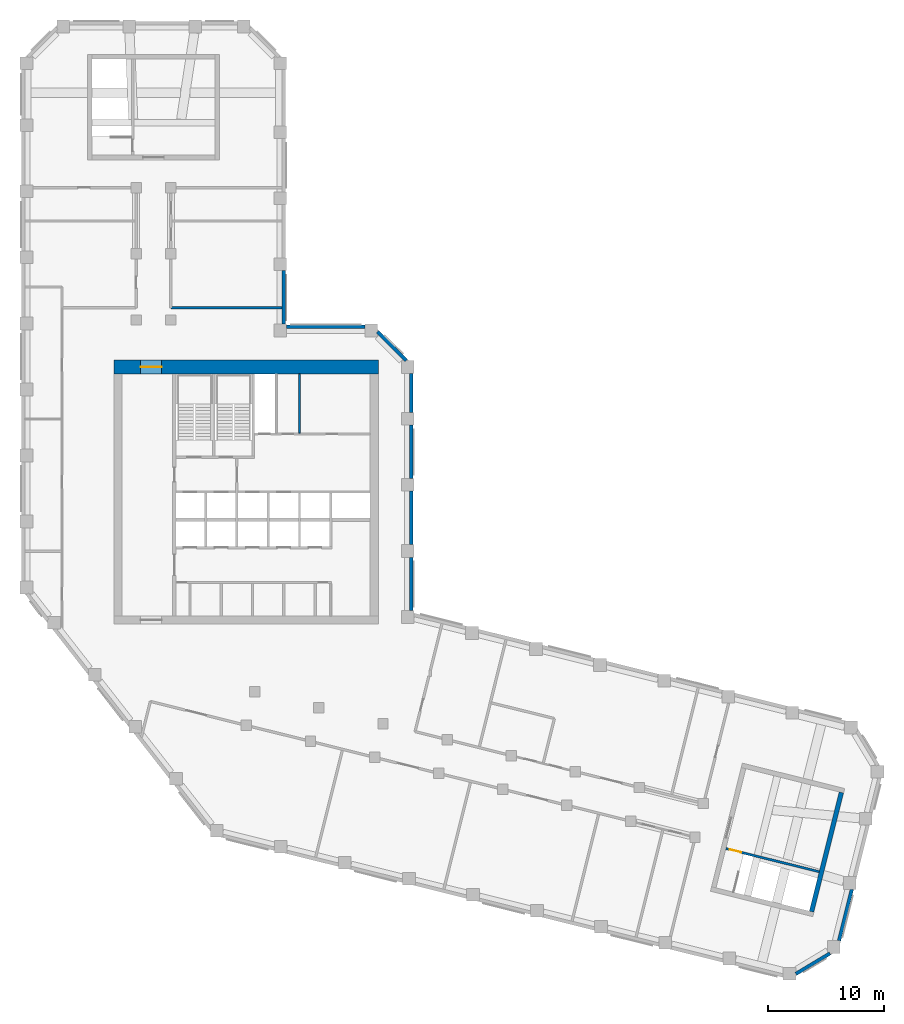
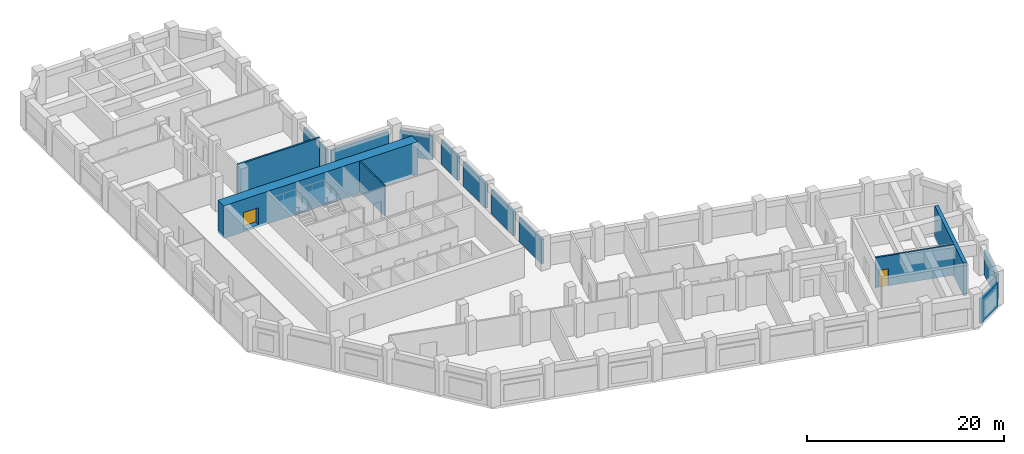
# One storey, part 5 of 8: 14 walls, 2 doors, 2 openings.
"""IFC4 building model written with IfcOpenShell, lengths in metres."""

from ifc_helpers import new_model, si_unit, direction, frame, frame_2d, origin, place, context, subcontext, project, spatial, rectangle, extrude, material, layer, layer_set, type_object, element, fill, save


model = new_model("IFC4")

# Units and contexts
model_context = context("Model", 3, precision=1e-05, world=origin(), true_north=direction((0.0, 1.0)))
body_context = subcontext(model_context, "Body", "Model", "MODEL_VIEW")
ifc_project = project(units=[si_unit("LENGTHUNIT", "METRE"), si_unit("AREAUNIT", "SQUARE_METRE"), si_unit("VOLUMEUNIT", "CUBIC_METRE"), si_unit("PLANEANGLEUNIT", "RADIAN"), si_unit("MASSUNIT", "GRAM", prefix="KILO")], contexts=[model_context])

# Site, building, storey
site_placement = place(None, origin())
site = spatial("IfcSite", under=ifc_project, at=site_placement, CompositionType="ELEMENT")
building_placement = place(site_placement, origin())
building = spatial("IfcBuilding", under=site, at=building_placement, Name="Meshkara Civic Tower", CompositionType="ELEMENT")
storey_placement = place(building_placement, frame((0.0, 0.0, 280.199951171875)))
storey = spatial("IfcBuildingStorey", under=building, at=storey_placement, Name="L64", CompositionType="ELEMENT", Elevation=280.199951171875)

# Wall
ifc_material_1 = material(Name="Blockwork", Category="masonry")
ifc_layer_1 = layer(ifc_material_1, 0.14990234375)
ifc_layer_set_1 = layer_set([ifc_layer_1], Name="Core partition 150")
wall_type_1 = type_object("IfcWallType", Name="Core partition 150", PredefinedType="PARTITIONING", material=ifc_layer_set_1)
wall_1_placement = place(storey_placement, frame((24.0, 30.574951171875, 0.0), z_axis=(0.0, 0.0, 1.0), x_axis=(0.0, 1.0, 0.0)))
element("IfcWall", 1, at=wall_1_placement, inside=storey, type_object=wall_type_1, Name="L64-C023", PredefinedType="PARTITIONING", context=body_context, shape_type="SweptSolid", body=[
    extrude(rectangle(XDim=5.125, YDim=0.14990234375, at=frame_2d((2.5625, 0.0))), origin(), (0.0, 0.0, 1.0), 3.75),
])

# Wall, opening, door
ifc_material_2 = material(Name="Concrete C60", Category="concrete")
ifc_layer_2 = layer(ifc_material_2, 1.199951171875)
ifc_layer_set_2 = layer_set([ifc_layer_2], Name="Core ring wall 1200 C60")
wall_type_2 = type_object("IfcWallType", Name="Core ring wall 1200 C60", PredefinedType="SHEAR", material=ifc_layer_set_2)
wall_2_placement = place(storey_placement, frame((8.0, 36.300048828125, -0.300048828125), z_axis=(0.0, 0.0, 1.0), x_axis=(1.0, 0.0, 0.0)))
wall_2 = element("IfcWall", 2, at=wall_2_placement, inside=storey, type_object=wall_type_2, Name="L64-C002", PredefinedType="SHEAR", context=body_context, shape_type="SweptSolid", body=[
    extrude(rectangle(XDim=22.800048828125, YDim=1.199951171875, at=frame_2d((11.39990234375, 0.0))), origin(), (0.0, 0.0, 1.0), 4.050048828125),
])
opening_1_placement = place(wall_2_placement, frame((2.300048828125, 0.0, 0.300048828125)))
opening_1 = element("IfcOpeningElement", 3, at=opening_1_placement, cuts=wall_2, Name="Opening L64-K020", PredefinedType="OPENING", context=body_context, shape_type="SweptSolid", body=[
    extrude(rectangle(XDim=1.800048828125, YDim=2.10009765625, at=frame_2d((0.89990234375, 1.050048828125))), frame((0.0, 0.60986328125, 0.0), z_axis=(0.0, -1.0, 0.0), x_axis=(1.0, 0.0, 0.0)), (0.0, 0.0, 1.0), 1.219970703125),
])
ifc_material_3 = material(Name="Fire-rated door leaf in steel frame", Category="steel")
door_type_1 = type_object("IfcDoorType", Name="Core double door 1800 EI 60", OperationType="DOUBLE_DOOR_SINGLE_SWING", PredefinedType="DOOR", material=ifc_material_3)
door_1_placement = place(opening_1_placement, origin())
door_1 = element("IfcDoor", 4, at=door_1_placement, inside=storey, type_object=door_type_1, Name="L64-K020", OperationType="DOUBLE_DOOR_SINGLE_SWING", OverallHeight=2.10009765625, OverallWidth=1.800048828125, PredefinedType="DOOR", context=body_context, shape_type="SweptSolid", body=[
    extrude(rectangle(XDim=1.800048828125, YDim=2.10009765625, at=frame_2d((0.89990234375, 1.050048828125))), frame((0.0, 0.02490234375, 0.0), z_axis=(0.0, -1.0, 0.0), x_axis=(1.0, 0.0, 0.0)), (0.0, 0.0, 1.0), 0.050048828125),
])
fill(opening_1, door_1)

# Walls
ifc_material_4 = material(Name="Insulated infill panel with bronze anodised aluminium cladding", Category="aluminium")
ifc_layer_3 = layer(ifc_material_4, 0.300048828125)
ifc_layer_set_3 = layer_set([ifc_layer_3], Name="EXTERNAL INFILL WALL 300")
wall_type_3 = type_object("IfcWallType", Name="EXTERNAL INFILL WALL 300", PredefinedType="SOLIDWALL", material=ifc_layer_set_3)
wall_3_placement = place(storey_placement, frame((33.64990234375, 15.26904296875, 0.0), z_axis=(0.0, 0.0, 1.0), x_axis=(0.0, 1.0, 0.0)))
element("IfcWall", 5, at=wall_3_placement, inside=storey, type_object=wall_type_3, Name="External wall", PredefinedType="SOLIDWALL", context=body_context, shape_type="SweptSolid", body=[
    extrude(rectangle(XDim=4.599853515625, YDim=0.300048828125, at=frame_2d((2.2998046875, 0.0))), origin(), (0.0, 0.0, 1.0), 3.0),
])
wall_4_placement = place(storey_placement, frame((33.64990234375, 20.969970703125, 0.0), z_axis=(0.0, 0.0, 1.0), x_axis=(0.0, 1.0, 0.0)))
element("IfcWall", 6, at=wall_4_placement, inside=storey, type_object=wall_type_3, Name="External wall", PredefinedType="SOLIDWALL", context=body_context, shape_type="SweptSolid", body=[
    extrude(rectangle(XDim=4.59912109375, YDim=0.300048828125, at=frame_2d((2.299560546875, 0.0))), origin(), (0.0, 0.0, 1.0), 3.0),
])
wall_5_placement = place(storey_placement, frame((33.64990234375, 26.6689453125, 0.0), z_axis=(0.0, 0.0, 1.0), x_axis=(0.0, 1.0, 0.0)))
element("IfcWall", 7, at=wall_5_placement, inside=storey, type_object=wall_type_3, Name="External wall", PredefinedType="SOLIDWALL", context=body_context, shape_type="SweptSolid", body=[
    extrude(rectangle(XDim=4.60009765625, YDim=0.300048828125, at=frame_2d((2.300048828125, 0.0))), origin(), (0.0, 0.0, 1.0), 3.0),
])
wall_6_placement = place(storey_placement, frame((33.64990234375, 32.368896484375, 0.0), z_axis=(0.0, 0.0, 1.0), x_axis=(0.0, 1.0, 0.0)))
element("IfcWall", 8, at=wall_6_placement, inside=storey, type_object=wall_type_3, Name="External wall", PredefinedType="SOLIDWALL", context=body_context, shape_type="SweptSolid", body=[
    extrude(rectangle(XDim=3.375, YDim=0.300048828125, at=frame_2d((1.6875, 0.0))), origin(), (0.0, 0.0, 1.0), 3.0),
])
wall_7_placement = place(storey_placement, frame((33.22412109375, 36.843994140625, 0.0), z_axis=(0.0, 0.0, 1.0), x_axis=(-0.70714158403, 0.70707197663, 0.0)))
element("IfcWall", 9, at=wall_7_placement, inside=storey, type_object=wall_type_3, Name="External wall", PredefinedType="SOLIDWALL", context=body_context, shape_type="SweptSolid", body=[
    extrude(rectangle(XDim=3.50732421875, YDim=0.300048828125, at=frame_2d((1.753662109375, 0.0))), origin(), (0.0, 0.0, 1.0), 3.0),
])
wall_8_placement = place(storey_placement, frame((29.64306640625, 39.75, 0.0), z_axis=(0.0, 0.0, 1.0), x_axis=(-1.0, 0.0, 0.0)))
element("IfcWall", 10, at=wall_8_placement, inside=storey, type_object=wall_type_3, Name="External wall", PredefinedType="SOLIDWALL", context=body_context, shape_type="SweptSolid", body=[
    extrude(rectangle(XDim=6.7421875, YDim=0.300048828125, at=frame_2d((3.37109375, 0.0))), origin(), (0.0, 0.0, 1.0), 3.0),
])
wall_9_placement = place(storey_placement, frame((22.64990234375, 40.0009765625, 0.0), z_axis=(0.0, 0.0, 1.0), x_axis=(0.0, 1.0, 0.0)))
element("IfcWall", 11, at=wall_9_placement, inside=storey, type_object=wall_type_3, Name="External wall", PredefinedType="SOLIDWALL", context=body_context, shape_type="SweptSolid", body=[
    extrude(rectangle(XDim=4.59814453125, YDim=0.300048828125, at=frame_2d((2.299072265625, 0.0))), origin(), (0.0, 0.0, 1.0), 3.0),
])
wall_10_placement = place(storey_placement, frame((66.845947265625, -16.0849609375, 0.0), z_axis=(0.0, 0.0, 1.0), x_axis=(0.857160340648, 0.515049658208, 0.0)))
element("IfcWall", 12, at=wall_10_placement, inside=storey, type_object=wall_type_3, Name="External wall", PredefinedType="SOLIDWALL", context=body_context, shape_type="SweptSolid", body=[
    extrude(rectangle(XDim=3.434814453125, YDim=0.300048828125, at=frame_2d((1.71728515625, 0.0))), origin(), (0.0, 0.0, 1.0), 3.0),
])
wall_11_placement = place(storey_placement, frame((70.569091796875, -13.216064453125, 0.0), z_axis=(0.0, 0.0, 1.0), x_axis=(0.241755628927, 0.970337166083, 0.0)))
element("IfcWall", 13, at=wall_11_placement, inside=storey, type_object=wall_type_3, Name="External wall", PredefinedType="SOLIDWALL", context=body_context, shape_type="SweptSolid", body=[
    extrude(rectangle(XDim=4.566650390625, YDim=0.300048828125, at=frame_2d((2.283203125, 0.0))), origin(), (0.0, 0.0, 1.0), 3.0),
])
ifc_material_5 = material(Name="Concrete C60", Category="concrete")
ifc_layer_4 = layer(ifc_material_5, 0.39990234375)
ifc_layer_set_4 = layer_set([ifc_layer_4], Name="End core ring wall 400 C60")
wall_type_4 = type_object("IfcWallType", Name="End core ring wall 400 C60", PredefinedType="SHEAR", material=ifc_layer_set_4)
wall_12_placement = place(storey_placement, frame((68.202880859375, -10.718017578125, -0.300048828125), z_axis=(0.0, 0.0, 1.0), x_axis=(0.241912337509, 0.970298109326, 0.0)))
element("IfcWall", 14, at=wall_12_placement, inside=storey, type_object=wall_type_4, Name="L64-C035", PredefinedType="SHEAR", context=body_context, shape_type="SweptSolid", body=[
    extrude(rectangle(XDim=10.599853515625, YDim=0.39990234375, at=frame_2d((5.2998046875, 0.0))), origin(), (0.0, 0.0, 1.0), 4.050048828125),
])
ifc_material_6 = material(Name="Fire-rated wall 200")
ifc_layer_5 = layer(ifc_material_6, 0.199951171875)
ifc_layer_set_5 = layer_set([ifc_layer_5], Name="Fire-rated wall 200")
wall_type_5 = type_object("IfcWallType", Name="Fire-rated wall 200", PredefinedType="PARTITIONING", material=ifc_layer_set_5)
wall_13_placement = place(storey_placement, frame((22.5, 41.39990234375, 0.0), z_axis=(0.0, 0.0, 1.0), x_axis=(-1.0, 0.0, 0.0)))
element("IfcWall", 15, at=wall_13_placement, inside=storey, type_object=wall_type_5, Name="L64-R012", PredefinedType="PARTITIONING", context=body_context, shape_type="SweptSolid", body=[
    extrude(rectangle(XDim=9.60009765625, YDim=0.199951171875, at=frame_2d((4.800048828125, 0.0))), origin(), (0.0, 0.0, 1.0), 3.75),
])

# Wall, opening, door
ifc_material_7 = material(Name="Concrete C40/50", Category="concrete")
ifc_layer_6 = layer(ifc_material_7, 0.199951171875)
ifc_layer_set_6 = layer_set([ifc_layer_6], Name="Stair enclosure wall 200 C40/50")
wall_type_6 = type_object("IfcWallType", Name="Stair enclosure wall 200 C40/50", PredefinedType="SOLIDWALL", material=ifc_layer_set_6)
wall_14_placement = place(storey_placement, frame((60.802001953125, -5.26611328125, 0.0), z_axis=(0.0, 0.0, 1.0), x_axis=(0.970303192681, -0.241891947516, 0.0)))
wall_14 = element("IfcWall", 16, at=wall_14_placement, inside=storey, type_object=wall_type_6, Name="L64-C036", PredefinedType="SOLIDWALL", context=body_context, shape_type="SweptSolid", body=[
    extrude(rectangle(XDim=8.300537109375, YDim=0.199951171875, at=frame_2d((4.150390625, 0.0))), origin(), (0.0, 0.0, 1.0), 3.75),
])
opening_2_placement = place(wall_14_placement, frame((0.35009765625, 0.0, 0.0)))
opening_2 = element("IfcOpeningElement", 17, at=opening_2_placement, cuts=wall_14, Name="Opening L64-K201", PredefinedType="OPENING", context=body_context, shape_type="SweptSolid", body=[
    extrude(rectangle(XDim=1.0, YDim=2.10009765625, at=frame_2d((0.5, 1.050048828125))), frame((0.0, 0.10986328125, 0.0), z_axis=(0.0, -1.0, 0.0), x_axis=(1.0, 0.0, 0.0)), (0.0, 0.0, 1.0), 0.219970703125),
])
ifc_material_8 = material(Name="Fire-rated door leaf in steel frame", Category="steel")
door_type_2 = type_object("IfcDoorType", Name="Stair door 1000 EI 120", OperationType="SINGLE_SWING_LEFT", PredefinedType="DOOR", material=ifc_material_8)
door_2_placement = place(opening_2_placement, origin())
door_2 = element("IfcDoor", 18, at=door_2_placement, inside=storey, type_object=door_type_2, Name="L64-K201", OperationType="SINGLE_SWING_LEFT", OverallHeight=2.10009765625, OverallWidth=1.0, PredefinedType="DOOR", context=body_context, shape_type="SweptSolid", body=[
    extrude(rectangle(XDim=1.0, YDim=2.10009765625, at=frame_2d((0.5, 1.050048828125))), frame((0.0, 0.02490234375, 0.0), z_axis=(0.0, -1.0, 0.0), x_axis=(1.0, 0.0, 0.0)), (0.0, 0.0, 1.0), 0.050048828125),
])
fill(opening_2, door_2)

save(model, "model.ifc")
